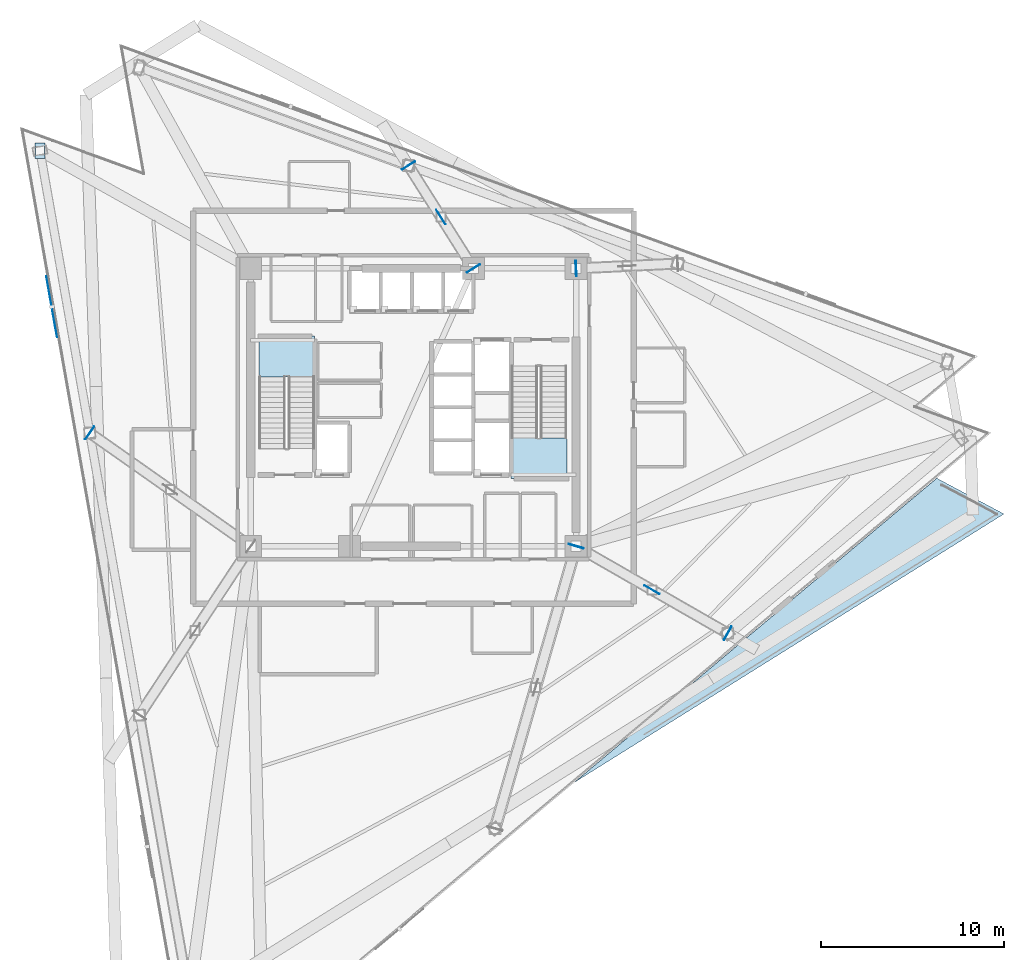
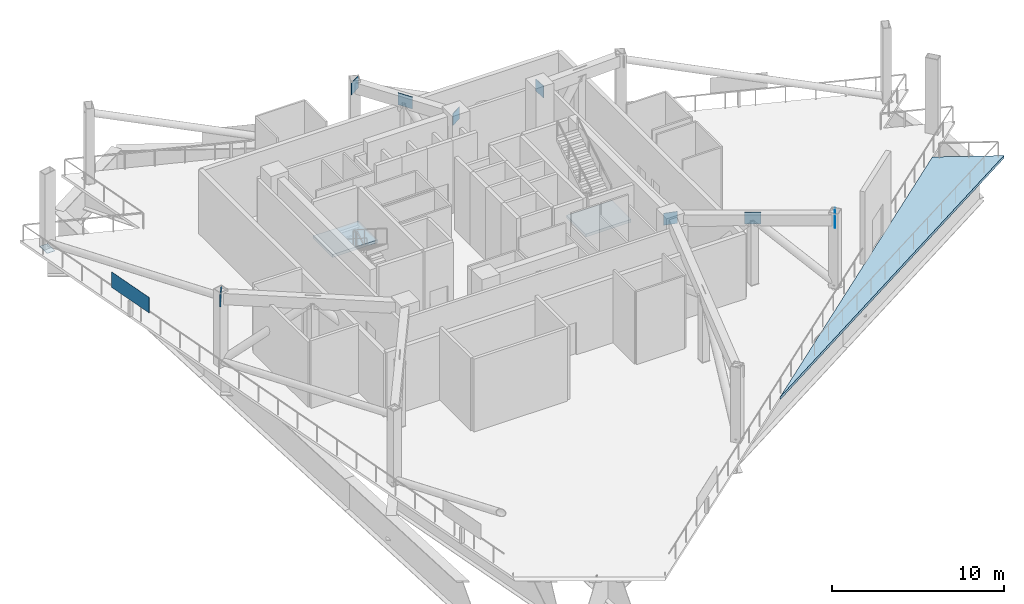
# One storey, part 5 of 15: 10 plates, 3 slabs, 2 elements without a shape of their own.
"""IFC4 building model written with IfcOpenShell, lengths in metres."""

from ifc_helpers import new_model, si_unit, direction, frame, origin, origin_2d, place, context, subcontext, project, spatial, polyline, rectangle, outline, extrude, material, layer, layer_set, type_object, element, aggregate, save


model = new_model("IFC4")

# Units and contexts
model_context = context("Model", 3, precision=1e-05, world=origin(), true_north=direction((0.0, 1.0)))
body_context = subcontext(model_context, "Body", "Model", "MODEL_VIEW")
ifc_project = project(units=[si_unit("LENGTHUNIT", "METRE"), si_unit("AREAUNIT", "SQUARE_METRE"), si_unit("VOLUMEUNIT", "CUBIC_METRE"), si_unit("PLANEANGLEUNIT", "RADIAN"), si_unit("MASSUNIT", "GRAM", prefix="KILO")], contexts=[model_context])

# Site, building, storey
site_placement = place(None, origin())
site = spatial("IfcSite", under=ifc_project, at=site_placement, CompositionType="ELEMENT")
building_placement = place(site_placement, origin())
building = spatial("IfcBuilding", under=site, at=building_placement, Name="Tharavind Bronze Gate", CompositionType="ELEMENT")
storey_placement = place(building_placement, frame((0.0, 0.0, 165.14990234375)))
storey = spatial("IfcBuildingStorey", under=building, at=storey_placement, Name="L42", CompositionType="ELEMENT", Elevation=165.14990234375)

# Plate
ifc_material_1 = material(Name="Perforated Bronze Alloy", Category="bronze")
ifc_layer_1 = layer(ifc_material_1, 0.011962890625)
ifc_layer_set_1 = layer_set([ifc_layer_1], Name="Perforated Bronze Alloy")
plate_type_1 = type_object("IfcPlateType", Name="BRONZE PERFORATED SOLAR SCREEN", PredefinedType="USERDEFINED", material=ifc_layer_set_1)
plate_1_placement = place(storey_placement, frame((-19.789306640625, 5.5, 1.10009765625), z_axis=(0.0, 0.0, 1.0), x_axis=(0.173648177667, -0.984807753012, 0.0)))
element("IfcPlate", 1, at=plate_1_placement, inside=storey, type_object=plate_type_1, Name="L42 wind floor acoustic bronze baffle 1.1", ObjectType="SCREEN", PredefinedType="USERDEFINED", context=body_context, shape_type="SweptSolid", body=[
    extrude(rectangle(XDim=3.39990234375, YDim=0.011962890625, at=origin_2d()), origin(), (0.0, 0.0, 1.0), 1.10009765625),
])

# Slab
ifc_material_2 = material(Name="Concrete C40/50", Category="concrete")
ifc_layer_2 = layer(ifc_material_2, 0.195068359375)
ifc_layer_set_2 = layer_set([ifc_layer_2], Name="Concrete C40/50")
slab_type_1 = type_object("IfcSlabType", Name="EXTERIOR TERRACE SLAB 195", PredefinedType="FLOOR", material=ifc_layer_set_2)
slab_1_placement = place(storey_placement, frame((0.0, 0.0, -0.19482421875)))
element("IfcSlab", 2, at=slab_1_placement, inside=storey, type_object=slab_type_1, Name="L42 setback sky garden terrace slab 1", PredefinedType="FLOOR", context=body_context, shape_type="SweptSolid", body=[
    extrude(outline(polyline([(32.314453125, -5.8330078125), (8.777587890625, -20.540283203125), (28.635986328125, -3.877197265625), (32.314453125, -5.8330078125)])), origin(), (0.0, 0.0, 1.0), 0.19482421875),
])

# Stair, slab
stair_type = type_object("IfcStairType", Name="CORE HALF TURN STAIR 1450", PredefinedType="HALF_TURN_STAIR", material=ifc_material_2)
stair_1_placement = place(storey_placement, origin())
stair_1 = element("IfcStair", 3, at=stair_1_placement, inside=storey, type_object=stair_type, Name="L42 Protected Exit Stair ST1", PredefinedType="HALF_TURN_STAIR")
ifc_layer_3 = layer(ifc_material_2, 0.199951171875)
ifc_layer_set_3 = layer_set([ifc_layer_3], Name="Concrete C40/50")
slab_type_2 = type_object("IfcSlabType", Name="STAIR LANDING SLAB 200", PredefinedType="LANDING", material=ifc_layer_set_3)
slab_2_placement = place(storey_placement, frame((0.0, 0.0, 2.47509765625)))
slab_2 = element("IfcSlab", 4, at=slab_2_placement, type_object=slab_type_2, Name="ST1 landing 1", PredefinedType="LANDING", context=body_context, shape_type="SweptSolid", body=[
    extrude(outline(polyline([(-5.39990234375, 1.669921875), (-5.39990234375, 3.89990234375), (-8.449951171875, 3.89990234375), (-8.449951171875, 1.669921875), (-5.39990234375, 1.669921875)])), origin(), (0.0, 0.0, 1.0), 0.199951171875),
])
aggregate(stair_1, [slab_2])

stair_2_placement = place(storey_placement, origin())
stair_2 = element("IfcStair", 5, at=stair_2_placement, inside=storey, type_object=stair_type, Name="L42 Protected Exit Stair ST2", PredefinedType="HALF_TURN_STAIR")
slab_3_placement = place(storey_placement, frame((0.0, 0.0, 2.47509765625)))
slab_3 = element("IfcSlab", 6, at=slab_3_placement, type_object=slab_type_2, Name="ST2 landing 1", PredefinedType="LANDING", context=body_context, shape_type="SweptSolid", body=[
    extrude(outline(polyline([(5.35009765625, -1.669921875), (5.35009765625, -3.89990234375), (8.39990234375, -3.89990234375), (8.39990234375, -1.669921875), (5.35009765625, -1.669921875)])), origin(), (0.0, 0.0, 1.0), 0.199951171875),
])
aggregate(stair_2, [slab_3])

# Plates
ifc_material_3 = material(Name="Steel S460", Category="steel")
ifc_layer_4 = layer(ifc_material_3, 0.02490234375)
ifc_layer_set_4 = layer_set([ifc_layer_4], Name="Steel S460")
plate_type_2 = type_object("IfcPlateType", Name="STEEL END CAP SHEET 25", PredefinedType="SHEET", material=ifc_layer_set_4)
plate_2_placement = place(storey_placement, frame((-20.4326171875, 14.043212890625, -0.207275390625), z_axis=(0.0, 0.0, 1.0), x_axis=(1.0, 0.0, 0.0)))
element("IfcPlate", 7, at=plate_2_placement, inside=storey, type_object=plate_type_2, Name="Steel end cap plate CAP-COLB-L42-S1C1", PredefinedType="SHEET", context=body_context, shape_type="SweptSolid", body=[
    extrude(rectangle(XDim=0.544921875, YDim=0.844970703125, at=origin_2d()), origin(), (0.0, 0.0, 1.0), 0.02490234375),
])
for number, where, z_axis, x_axis, name in (
    (8, (-17.709716796875, -1.3994140625, 4.3974609375), (0.0, 0.0, 1.0), (-0.81775009782, 0.575573433643, 0.0), "Steel end cap plate CAP-L42-OCH1B"),
    (9, (8.89990234375, -7.60009765625, 4.3974609375), (0.0, 0.0, 1.0), (0.275994690729, 0.961159159915, 0.0), "Steel end cap plate CAP-L42-OCH3A"),
    (10, (17.198486328125, -12.36474609375, 4.3974609375), (0.0, 0.0, 1.0), (-0.867217608443, 0.49792933194, 0.0), "Steel end cap plate CAP-L42-OCH4B"),
    (11, (8.89990234375, 7.60009765625, 4.3974609375), (0.0, 0.0, 1.0), (0.998841677738, 0.048117593598, 0.0), "Steel end cap plate CAP-L42-OCH5A"),
    (12, (3.280029296875, 7.60009765625, 4.3974609375), (0.0, 0.0, 1.0), (-0.533714885156, 0.845664485102, 0.0), "Steel end cap plate CAP-L42-OCH6A"),
    (13, (-0.27392578125, 13.231201171875, 4.3974609375), (0.0, 0.0, 1.0), (-0.533714885156, 0.845664485102, 0.0), "Steel end cap plate CAP-L42-OCH6B"),
):
    element("IfcPlate", number, at=place(storey_placement, frame(where, z_axis=z_axis, x_axis=x_axis)), inside=storey, type_object=plate_type_2, Name=name, PredefinedType="SHEET", context=body_context, shape_type="SweptSolid", body=[
        extrude(rectangle(XDim=0.0400390625, YDim=0.844970703125, at=origin_2d()), origin(), (0.0, 0.0, 1.0), 0.844970703125),
    ])
ifc_layer_5 = layer(ifc_material_3, 0.028076171875)
ifc_layer_set_5 = layer_set([ifc_layer_5], Name="Steel S460")
plate_type_3 = type_object("IfcPlateType", Name="STEEL NODE GUSSET PLATE 28", PredefinedType="USERDEFINED", material=ifc_layer_set_5)
for number, where, z_axis, x_axis, name in (
    (14, (13.04931640625, -9.982421875, 4.39501953125), (0.0, 0.0, 1.0), (-0.867217608443, 0.49792933194, 0.0), "Node N2 outrigger truss gusset plate 4"),
    (15, (1.5029296875, 10.41552734375, 4.39501953125), (0.0, 0.0, 1.0), (-0.533714885156, 0.845664485102, 0.0), "Node N2 outrigger truss gusset plate 6"),
):
    element("IfcPlate", number, at=place(storey_placement, frame(where, z_axis=z_axis, x_axis=x_axis)), inside=storey, type_object=plate_type_3, Name=name, ObjectType="GUSSET PLATE", PredefinedType="USERDEFINED", context=body_context, shape_type="SweptSolid", body=[
        extrude(rectangle(XDim=0.949951171875, YDim=0.028076171875, at=origin_2d()), origin(), (0.0, 0.0, 1.0), 0.85009765625),
    ])

save(model, "model.ifc")
